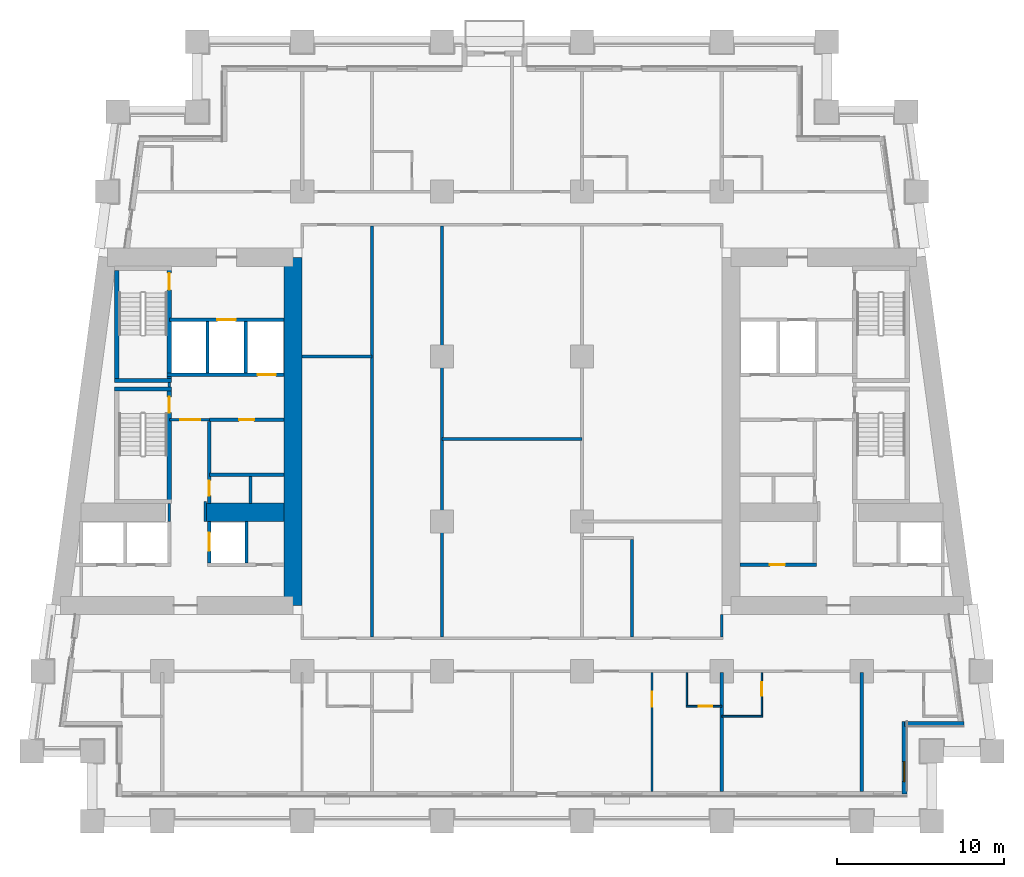
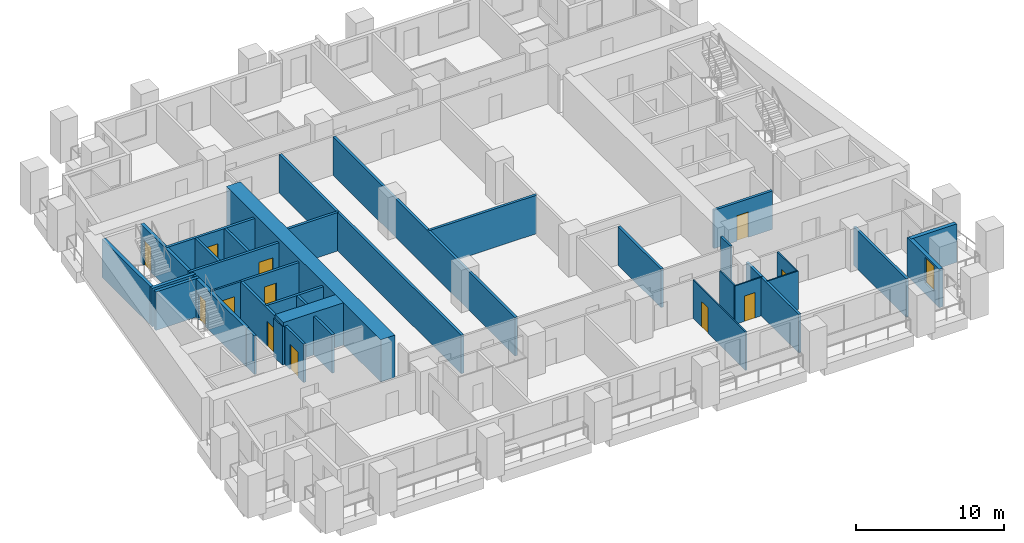
# One storey, part 4 of 12: 37 walls, 12 doors, 1 window, 13 openings.
"""IFC4 building model written with IfcOpenShell, lengths in metres."""

from ifc_helpers import new_model, si_unit, direction, frame, frame_2d, origin, place, context, subcontext, project, spatial, rectangle, extrude, material, layer, layer_set, type_object, element, fill, save


model = new_model("IFC4")

# Units and contexts
model_context = context("Model", 3, precision=1e-05, world=origin(), true_north=direction((0.0, 1.0)))
body_context = subcontext(model_context, "Body", "Model", "MODEL_VIEW")
ifc_project = project(units=[si_unit("LENGTHUNIT", "METRE"), si_unit("AREAUNIT", "SQUARE_METRE"), si_unit("VOLUMEUNIT", "CUBIC_METRE"), si_unit("PLANEANGLEUNIT", "RADIAN"), si_unit("MASSUNIT", "GRAM", prefix="KILO")], contexts=[model_context])

# Site, building, storey
site_placement = place(None, origin())
site = spatial("IfcSite", under=ifc_project, at=site_placement, CompositionType="ELEMENT")
building_placement = place(site_placement, origin())
building = spatial("IfcBuilding", under=site, at=building_placement, Name="Candeia Pilgrim Tower and Theatre", CompositionType="ELEMENT")
storey_placement = place(building_placement, frame((0.0, 0.0, 74.0)))
storey = spatial("IfcBuildingStorey", under=building, at=storey_placement, Name="L16", CompositionType="ELEMENT", Elevation=74.0)

# Walls
ifc_material_1 = material(Name="Concrete C80/95", Category="concrete")
ifc_layer_1 = layer(ifc_material_1, 1.10009765625)
ifc_layer_set_1 = layer_set([ifc_layer_1], Name="Core wall 1100 C80/95")
wall_type_1 = type_object("IfcWallType", Name="Core wall 1100 C80/95", PredefinedType="SHEAR", material=ifc_layer_set_1)
wall_1_placement = place(storey_placement, frame((100.25, 131.85009765625, 0.0), z_axis=(0.0, 0.0, 1.0), x_axis=(0.0, -1.0, 0.0)))
element("IfcWall", 1, at=wall_1_placement, inside=storey, type_object=wall_type_1, Name="Core wall W2", PredefinedType="SHEAR", context=body_context, shape_type="SweptSolid", body=[
    extrude(rectangle(XDim=20.900146484375, YDim=1.10009765625, at=frame_2d((10.4501953125, 0.0))), origin(), (0.0, 0.0, 1.0), 3.5),
])
wall_2_placement = place(storey_placement, frame((95.0, 116.550048828125, 0.0), z_axis=(0.0, 0.0, 1.0), x_axis=(1.0, 0.0, 0.0)))
element("IfcWall", 2, at=wall_2_placement, inside=storey, type_object=wall_type_1, Name="Core wall W6", PredefinedType="SHEAR", context=body_context, shape_type="SweptSolid", body=[
    extrude(rectangle(XDim=4.699951171875, YDim=1.10009765625, at=frame_2d((2.35009765625, 0.0))), origin(), (0.0, 0.0, 1.0), 3.5),
])

# Wall, opening, window
ifc_material_2 = material(Name="Ceramic block masonry", Category="masonry")
ifc_layer_2 = layer(ifc_material_2, 0.300048828125)
ifc_layer_set_2 = layer_set([ifc_layer_2], Name="EW1 glazing-line wall 300")
wall_type_2 = type_object("IfcWallType", Name="EW1 glazing-line wall 300", PredefinedType="SOLIDWALL", material=ifc_layer_set_2)
wall_3_placement = place(storey_placement, frame((136.949951171875, 99.64990234375, 0.0), z_axis=(0.0, 0.0, 1.0), x_axis=(0.0, 1.0, 0.0)))
wall_3 = element("IfcWall", 3, at=wall_3_placement, inside=storey, type_object=wall_type_2, Name="External wall L16-1.0", PredefinedType="SOLIDWALL", context=body_context, shape_type="SweptSolid", body=[
    extrude(rectangle(XDim=4.35009765625, YDim=0.300048828125, at=frame_2d((2.175048828125, 0.0))), origin(), (0.0, 0.0, 1.0), 3.179931640625),
])
opening_1_placement = place(wall_3_placement, frame((0.72509765625, 0.0, 0.89990234375)))
opening_1 = element("IfcOpeningElement", 4, at=opening_1_placement, cuts=wall_3, Name="Opening W-B", PredefinedType="OPENING", context=body_context, shape_type="SweptSolid", body=[
    extrude(rectangle(XDim=1.199951171875, YDim=2.10009765625, at=frame_2d((0.60009765625, 1.050048828125))), frame((0.0, 0.16015625, 0.0), z_axis=(0.0, -1.0, 0.0), x_axis=(1.0, 0.0, 0.0)), (0.0, 0.0, 1.0), 0.320068359375),
])
ifc_material_3 = material(Name="Aluminium framed double glazing", Category="aluminium")
window_type = type_object("IfcWindowType", Name="W-B window 1200x2100", PartitioningType="SINGLE_PANEL", PredefinedType="WINDOW", material=ifc_material_3)
window_placement = place(opening_1_placement, origin())
window = element("IfcWindow", 5, at=window_placement, inside=storey, type_object=window_type, Name="Window W-B L16", OverallHeight=2.10009765625, OverallWidth=1.199951171875, PartitioningType="SINGLE_PANEL", PredefinedType="WINDOW", context=body_context, shape_type="SweptSolid", body=[
    extrude(rectangle(XDim=1.199951171875, YDim=2.10009765625, at=frame_2d((0.60009765625, 1.050048828125))), frame((0.0, 0.030029296875, 0.0), z_axis=(0.0, -1.0, 0.0), x_axis=(1.0, 0.0, 0.0)), (0.0, 0.0, 1.0), 0.06005859375),
])
fill(opening_1, window)

# Walls
wall_4_placement = place(storey_placement, frame((136.949951171875, 103.85009765625, 0.0), z_axis=(0.0, 0.0, 1.0), x_axis=(1.0, 0.0, 0.0)))
element("IfcWall", 6, at=wall_4_placement, inside=storey, type_object=wall_type_2, Name="External wall L16-2.0", PredefinedType="SOLIDWALL", context=body_context, shape_type="SweptSolid", body=[
    extrude(rectangle(XDim=3.569091796875, YDim=0.300048828125, at=frame_2d((1.78466796875, 0.0))), origin(), (0.0, 0.0, 1.0), 3.179931640625),
])
ifc_material_4 = material(Name="Gypsum board partition on steel studs", Category="steel")
ifc_layer_3 = layer(ifc_material_4, 0.10009765625)
ifc_layer_set_3 = layer_set([ifc_layer_3], Name="PW-100 room partition")
wall_type_3 = type_object("IfcWallType", Name="PW-100 room partition", PredefinedType="PARTITIONING", material=ifc_layer_set_3)
wall_5_placement = place(storey_placement, frame((126.0, 104.300048828125, 0.0), z_axis=(0.0, 0.0, 1.0), x_axis=(1.0, 0.0, 0.0)))
element("IfcWall", 7, at=wall_5_placement, inside=storey, type_object=wall_type_3, Name="Room partition L16-002", PredefinedType="PARTITIONING", context=body_context, shape_type="SweptSolid", body=[
    extrude(rectangle(XDim=2.449951171875, YDim=0.10009765625, at=frame_2d((1.22509765625, 0.0))), origin(), (0.0, 0.0, 1.0), 3.179931640625),
])

# Wall, opening, door
wall_6_placement = place(storey_placement, frame((123.85009765625, 104.89990234375, 0.0), z_axis=(0.0, 0.0, 1.0), x_axis=(1.0, 0.0, 0.0)))
wall_6 = element("IfcWall", 8, at=wall_6_placement, inside=storey, type_object=wall_type_3, Name="Room partition L16-006", PredefinedType="PARTITIONING", context=body_context, shape_type="SweptSolid", body=[
    extrude(rectangle(XDim=2.14990234375, YDim=0.10009765625, at=frame_2d((1.074951171875, 0.0))), origin(), (0.0, 0.0, 1.0), 3.179931640625),
])
opening_2_placement = place(wall_6_placement, frame((0.760009765625, 0.0, 0.0)))
opening_2 = element("IfcOpeningElement", 9, at=opening_2_placement, cuts=wall_6, Name="Opening L16-D023", PredefinedType="OPENING", context=body_context, shape_type="SweptSolid", body=[
    extrude(rectangle(XDim=0.800048828125, YDim=2.10009765625, at=frame_2d((0.39990234375, 1.050048828125))), frame((0.0, 0.06005859375, 0.0), z_axis=(0.0, -1.0, 0.0), x_axis=(1.0, 0.0, 0.0)), (0.0, 0.0, 1.0), 0.1201171875),
])
ifc_material_5 = material(Name="Timber door leaf", Category="wood")
door_type_1 = type_object("IfcDoorType", Name="D-800", OperationType="NOTDEFINED", PredefinedType="DOOR", material=ifc_material_5)
door_1_placement = place(opening_2_placement, origin())
door_1 = element("IfcDoor", 10, at=door_1_placement, inside=storey, type_object=door_type_1, Name="Door L16-D023", OperationType="SINGLE_SWING_LEFT", OverallHeight=2.10009765625, OverallWidth=0.800048828125, PredefinedType="DOOR", context=body_context, shape_type="SweptSolid", body=[
    extrude(rectangle(XDim=0.800048828125, YDim=2.10009765625, at=frame_2d((0.39990234375, 1.050048828125))), frame((0.0, 0.02490234375, 0.0), z_axis=(0.0, -1.0, 0.0), x_axis=(1.0, 0.0, 0.0)), (0.0, 0.0, 1.0), 0.050048828125),
])
fill(opening_2, door_1)

wall_7_placement = place(storey_placement, frame((121.800048828125, 99.7900390625, 0.0), z_axis=(0.0, 0.0, 1.0), x_axis=(0.0, 1.0, 0.0)))
wall_7 = element("IfcWall", 11, at=wall_7_placement, inside=storey, type_object=wall_type_3, Name="Room partition L16-080", PredefinedType="PARTITIONING", context=body_context, shape_type="SweptSolid", body=[
    extrude(rectangle(XDim=7.135009765625, YDim=0.10009765625, at=frame_2d((3.5673828125, 0.0))), origin(), (0.0, 0.0, 1.0), 3.179931640625),
])
opening_3_placement = place(wall_7_placement, frame((5.074951171875, 0.0, 0.0)))
opening_3 = element("IfcOpeningElement", 12, at=opening_3_placement, cuts=wall_7, Name="Opening L16-D022", PredefinedType="OPENING", context=body_context, shape_type="SweptSolid", body=[
    extrude(rectangle(XDim=0.89990234375, YDim=2.10009765625, at=frame_2d((0.449951171875, 1.050048828125))), frame((0.0, 0.06005859375, 0.0), z_axis=(0.0, -1.0, 0.0), x_axis=(1.0, 0.0, 0.0)), (0.0, 0.0, 1.0), 0.1201171875),
])
door_type_2 = type_object("IfcDoorType", Name="D-900", OperationType="NOTDEFINED", PredefinedType="DOOR", material=ifc_material_5)
door_2_placement = place(opening_3_placement, origin())
door_2 = element("IfcDoor", 13, at=door_2_placement, inside=storey, type_object=door_type_2, Name="Door L16-D022", OperationType="SINGLE_SWING_RIGHT", OverallHeight=2.10009765625, OverallWidth=0.89990234375, PredefinedType="DOOR", context=body_context, shape_type="SweptSolid", body=[
    extrude(rectangle(XDim=0.89990234375, YDim=2.10009765625, at=frame_2d((0.449951171875, 1.050048828125))), frame((0.0, 0.02490234375, 0.0), z_axis=(0.0, -1.0, 0.0), x_axis=(1.0, 0.0, 0.0)), (0.0, 0.0, 1.0), 0.050048828125),
])
fill(opening_3, door_2)

# Wall
wall_8_placement = place(storey_placement, frame((123.89990234375, 104.949951171875, 0.0), z_axis=(0.0, 0.0, 1.0), x_axis=(0.0, 1.0, 0.0)))
element("IfcWall", 14, at=wall_8_placement, inside=storey, type_object=wall_type_3, Name="Room partition L16-081", PredefinedType="PARTITIONING", context=body_context, shape_type="SweptSolid", body=[
    extrude(rectangle(XDim=1.97509765625, YDim=0.10009765625, at=frame_2d((0.987548828125, 0.0))), origin(), (0.0, 0.0, 1.0), 3.179931640625),
])

# Wall, opening, door
wall_9_placement = place(storey_placement, frame((128.39990234375, 104.35009765625, 0.0), z_axis=(0.0, 0.0, 1.0), x_axis=(0.0, 1.0, 0.0)))
wall_9 = element("IfcWall", 15, at=wall_9_placement, inside=storey, type_object=wall_type_3, Name="Room partition L16-086", PredefinedType="PARTITIONING", context=body_context, shape_type="SweptSolid", body=[
    extrude(rectangle(XDim=2.574951171875, YDim=0.10009765625, at=frame_2d((1.28759765625, 0.0))), origin(), (0.0, 0.0, 1.0), 3.179931640625),
])
opening_4_placement = place(wall_9_placement, frame((1.199951171875, 0.0, 0.0)))
opening_4 = element("IfcOpeningElement", 16, at=opening_4_placement, cuts=wall_9, Name="Opening L16-D025", PredefinedType="OPENING", context=body_context, shape_type="SweptSolid", body=[
    extrude(rectangle(XDim=0.800048828125, YDim=2.10009765625, at=frame_2d((0.39990234375, 1.050048828125))), frame((0.0, 0.06005859375, 0.0), z_axis=(0.0, -1.0, 0.0), x_axis=(1.0, 0.0, 0.0)), (0.0, 0.0, 1.0), 0.1201171875),
])
door_3_placement = place(opening_4_placement, origin())
door_3 = element("IfcDoor", 17, at=door_3_placement, inside=storey, type_object=door_type_1, Name="Door L16-D025", OperationType="SINGLE_SWING_LEFT", OverallHeight=2.10009765625, OverallWidth=0.800048828125, PredefinedType="DOOR", context=body_context, shape_type="SweptSolid", body=[
    extrude(rectangle(XDim=0.800048828125, YDim=2.10009765625, at=frame_2d((0.39990234375, 1.050048828125))), frame((0.0, 0.02490234375, 0.0), z_axis=(0.0, -1.0, 0.0), x_axis=(1.0, 0.0, 0.0)), (0.0, 0.0, 1.0), 0.050048828125),
])
fill(opening_4, door_3)

ifc_layer_4 = layer(ifc_material_4, 0.14990234375)
ifc_layer_set_4 = layer_set([ifc_layer_4], Name="PW-150 lobby wall")
wall_type_4 = type_object("IfcWallType", Name="PW-150 lobby wall", PredefinedType="PARTITIONING", material=ifc_layer_set_4)
wall_10_placement = place(storey_placement, frame((92.826904296875, 122.10009765625, 0.0), z_axis=(0.0, 0.0, 1.0), x_axis=(1.0, 0.0, 0.0)))
wall_10 = element("IfcWall", 18, at=wall_10_placement, inside=storey, type_object=wall_type_4, Name="Lobby wall L16-022", PredefinedType="PARTITIONING", context=body_context, shape_type="SweptSolid", body=[
    extrude(rectangle(XDim=2.400146484375, YDim=0.14990234375, at=frame_2d((1.2001953125, 0.0))), origin(), (0.0, 0.0, 1.0), 3.179931640625),
])
opening_5_placement = place(wall_10_placement, frame((0.64990234375, 0.0, 0.0)))
opening_5 = element("IfcOpeningElement", 19, at=opening_5_placement, cuts=wall_10, Name="Opening L16-D001", PredefinedType="OPENING", context=body_context, shape_type="SweptSolid", body=[
    extrude(rectangle(XDim=1.199951171875, YDim=2.10009765625, at=frame_2d((0.60009765625, 1.050048828125))), frame((0.0, 0.0849609375, 0.0), z_axis=(0.0, -1.0, 0.0), x_axis=(1.0, 0.0, 0.0)), (0.0, 0.0, 1.0), 0.169921875),
])
ifc_material_6 = material(Name="Steel fire door set", Category="steel")
door_type_3 = type_object("IfcDoorType", Name="D-1200-FD60", OperationType="NOTDEFINED", PredefinedType="DOOR", material=ifc_material_6)
door_4_placement = place(opening_5_placement, origin())
door_4 = element("IfcDoor", 20, at=door_4_placement, inside=storey, type_object=door_type_3, Name="Door L16-D001", OperationType="SINGLE_SWING_LEFT", OverallHeight=2.10009765625, OverallWidth=1.199951171875, PredefinedType="DOOR", context=body_context, shape_type="SweptSolid", body=[
    extrude(rectangle(XDim=1.199951171875, YDim=2.10009765625, at=frame_2d((0.60009765625, 1.050048828125))), frame((0.0, 0.02490234375, 0.0), z_axis=(0.0, -1.0, 0.0), x_axis=(1.0, 0.0, 0.0)), (0.0, 0.0, 1.0), 0.050048828125),
])
fill(opening_5, door_4)

# Walls
wall_11_placement = place(storey_placement, frame((92.826904296875, 116.0, 0.0), z_axis=(0.0, 0.0, 1.0), x_axis=(0.0, 1.0, 0.0)))
element("IfcWall", 21, at=wall_11_placement, inside=storey, type_object=wall_type_4, Name="Lobby wall L16-051", PredefinedType="PARTITIONING", context=body_context, shape_type="SweptSolid", body=[
    extrude(rectangle(XDim=1.070068359375, YDim=0.14990234375, at=frame_2d((0.53515625, 0.0))), origin(), (0.0, 0.0, 1.0), 3.179931640625),
])
wall_12_placement = place(storey_placement, frame((92.826904296875, 124.074951171875, 0.0), z_axis=(0.0, 0.0, 1.0), x_axis=(0.0, 1.0, 0.0)))
element("IfcWall", 22, at=wall_12_placement, inside=storey, type_object=wall_type_4, Name="Lobby wall L16-052", PredefinedType="PARTITIONING", context=body_context, shape_type="SweptSolid", body=[
    extrude(rectangle(XDim=0.25, YDim=0.14990234375, at=frame_2d((0.125, 0.0))), origin(), (0.0, 0.0, 1.0), 3.179931640625),
])
wall_13_placement = place(storey_placement, frame((95.0, 116.0, 0.0), z_axis=(0.0, 0.0, 1.0), x_axis=(0.0, 1.0, 0.0)))
element("IfcWall", 23, at=wall_13_placement, inside=storey, type_object=wall_type_4, Name="Lobby wall L16-056", PredefinedType="PARTITIONING", context=body_context, shape_type="SweptSolid", body=[
    extrude(rectangle(XDim=1.199951171875, YDim=0.14990234375, at=frame_2d((0.60009765625, 0.0))), origin(), (0.0, 0.0, 1.0), 3.179931640625),
])
ifc_layer_5 = layer(ifc_material_4, 0.14990234375)
ifc_layer_set_5 = layer_set([ifc_layer_5], Name="PW-150 unit wall")
wall_type_5 = type_object("IfcWallType", Name="PW-150 unit wall", PredefinedType="PARTITIONING", material=ifc_layer_set_5)
wall_14_placement = place(storey_placement, frame((126.0, 109.074951171875, 0.0), z_axis=(0.0, 0.0, 1.0), x_axis=(0.0, 1.0, 0.0)))
element("IfcWall", 24, at=wall_14_placement, inside=storey, type_object=wall_type_5, Name="Unit wall L16-084", PredefinedType="PARTITIONING", context=body_context, shape_type="SweptSolid", body=[
    extrude(rectangle(XDim=1.324951171875, YDim=0.14990234375, at=frame_2d((0.66259765625, 0.0))), origin(), (0.0, 0.0, 1.0), 3.179931640625),
])
ifc_layer_6 = layer(ifc_material_4, 0.199951171875)
ifc_layer_set_6 = layer_set([ifc_layer_6], Name="PW-200 party wall")
wall_type_6 = type_object("IfcWallType", Name="PW-200 party wall", PredefinedType="PARTITIONING", material=ifc_layer_set_6)
wall_15_placement = place(storey_placement, frame((109.199951171875, 120.949951171875, 0.0), z_axis=(0.0, 0.0, 1.0), x_axis=(1.0, 0.0, 0.0)))
element("IfcWall", 25, at=wall_15_placement, inside=storey, type_object=wall_type_6, Name="Party wall L16-019", PredefinedType="PARTITIONING", context=body_context, shape_type="SweptSolid", body=[
    extrude(rectangle(XDim=8.400146484375, YDim=0.199951171875, at=frame_2d((4.2001953125, 0.0))), origin(), (0.0, 0.0, 1.0), 3.179931640625),
])
wall_16_placement = place(storey_placement, frame((100.800048828125, 125.89990234375, 0.0), z_axis=(0.0, 0.0, 1.0), x_axis=(1.0, 0.0, 0.0)))
element("IfcWall", 26, at=wall_16_placement, inside=storey, type_object=wall_type_6, Name="Party wall L16-031", PredefinedType="PARTITIONING", context=body_context, shape_type="SweptSolid", body=[
    extrude(rectangle(XDim=4.199951171875, YDim=0.199951171875, at=frame_2d((2.10009765625, 0.0))), origin(), (0.0, 0.0, 1.0), 3.179931640625),
])
for number, where, z_axis, x_axis, name in (
    (27, (105.0, 109.074951171875, 0.0), (0.0, 0.0, 1.0), (0.0, 1.0, 0.0), "Party wall L16-069"),
    (28, (109.199951171875, 109.074951171875, 0.0), (0.0, 0.0, 1.0), (0.0, 1.0, 0.0), "Party wall L16-073"),
):
    element("IfcWall", number, at=place(storey_placement, frame(where, z_axis=z_axis, x_axis=x_axis)), inside=storey, type_object=wall_type_6, Name=name, PredefinedType="PARTITIONING", context=body_context, shape_type="SweptSolid", body=[
        extrude(rectangle(XDim=24.650146484375, YDim=0.199951171875, at=frame_2d((12.3251953125, 0.0))), origin(), (0.0, 0.0, 1.0), 3.179931640625),
    ])
wall_17_placement = place(storey_placement, frame((120.60009765625, 109.074951171875, 0.0), z_axis=(0.0, 0.0, 1.0), x_axis=(0.0, 1.0, 0.0)))
element("IfcWall", 29, at=wall_17_placement, inside=storey, type_object=wall_type_6, Name="Party wall L16-079", PredefinedType="PARTITIONING", context=body_context, shape_type="SweptSolid", body=[
    extrude(rectangle(XDim=5.824951171875, YDim=0.199951171875, at=frame_2d((2.91259765625, 0.0))), origin(), (0.0, 0.0, 1.0), 3.179931640625),
])
for number, where, z_axis, x_axis, name in (
    (30, (126.0, 99.7900390625, 0.0), (0.0, 0.0, 1.0), (0.0, 1.0, 0.0), "Party wall L16-082"),
    (31, (134.39990234375, 99.7900390625, 0.0), (0.0, 0.0, 1.0), (0.0, 1.0, 0.0), "Party wall L16-099"),
):
    element("IfcWall", number, at=place(storey_placement, frame(where, z_axis=z_axis, x_axis=x_axis)), inside=storey, type_object=wall_type_6, Name=name, PredefinedType="PARTITIONING", context=body_context, shape_type="SweptSolid", body=[
        extrude(rectangle(XDim=7.135009765625, YDim=0.199951171875, at=frame_2d((3.5673828125, 0.0))), origin(), (0.0, 0.0, 1.0), 3.179931640625),
    ])

# Wall, opening, door
ifc_material_7 = material(Name="Concrete C40/50", Category="concrete")
ifc_layer_7 = layer(ifc_material_7, 0.199951171875)
ifc_layer_set_7 = layer_set([ifc_layer_7], Name="SW-200 shaft wall")
wall_type_7 = type_object("IfcWallType", Name="SW-200 shaft wall", PredefinedType="PARTITIONING", material=ifc_layer_set_7)
wall_18_placement = place(storey_placement, frame((127.10009765625, 113.39990234375, 0.0), z_axis=(0.0, 0.0, 1.0), x_axis=(1.0, 0.0, 0.0)))
wall_18 = element("IfcWall", 32, at=wall_18_placement, inside=storey, type_object=wall_type_7, Name="Shaft wall L16-011", PredefinedType="PARTITIONING", context=body_context, shape_type="SweptSolid", body=[
    extrude(rectangle(XDim=4.572998046875, YDim=0.199951171875, at=frame_2d((2.28662109375, 0.0))), origin(), (0.0, 0.0, 1.0), 3.179931640625),
])
opening_6_placement = place(wall_18_placement, frame((1.785888671875, 0.0, 0.0)))
opening_6 = element("IfcOpeningElement", 33, at=opening_6_placement, cuts=wall_18, Name="Opening L16-D013", PredefinedType="OPENING", context=body_context, shape_type="SweptSolid", body=[
    extrude(rectangle(XDim=0.89990234375, YDim=2.10009765625, at=frame_2d((0.449951171875, 1.050048828125))), frame((0.0, 0.10986328125, 0.0), z_axis=(0.0, -1.0, 0.0), x_axis=(1.0, 0.0, 0.0)), (0.0, 0.0, 1.0), 0.219970703125),
])
door_type_4 = type_object("IfcDoorType", Name="D-900-FD60", OperationType="NOTDEFINED", PredefinedType="DOOR", material=ifc_material_6)
door_5_placement = place(opening_6_placement, origin())
door_5 = element("IfcDoor", 34, at=door_5_placement, inside=storey, type_object=door_type_4, Name="Door L16-D013", OperationType="SINGLE_SWING_LEFT", OverallHeight=2.10009765625, OverallWidth=0.89990234375, PredefinedType="DOOR", context=body_context, shape_type="SweptSolid", body=[
    extrude(rectangle(XDim=0.89990234375, YDim=2.10009765625, at=frame_2d((0.449951171875, 1.050048828125))), frame((0.0, 0.02490234375, 0.0), z_axis=(0.0, -1.0, 0.0), x_axis=(1.0, 0.0, 0.0)), (0.0, 0.0, 1.0), 0.050048828125),
])
fill(opening_6, door_5)

# Wall
wall_19_placement = place(storey_placement, frame((95.22705078125, 118.800048828125, 0.0), z_axis=(0.0, 0.0, 1.0), x_axis=(1.0, 0.0, 0.0)))
element("IfcWall", 35, at=wall_19_placement, inside=storey, type_object=wall_type_7, Name="Shaft wall L16-017", PredefinedType="PARTITIONING", context=body_context, shape_type="SweptSolid", body=[
    extrude(rectangle(XDim=4.472900390625, YDim=0.199951171875, at=frame_2d((2.236328125, 0.0))), origin(), (0.0, 0.0, 1.0), 3.179931640625),
])

# Wall, opening, door
wall_20_placement = place(storey_placement, frame((95.22705078125, 122.10009765625, 0.0), z_axis=(0.0, 0.0, 1.0), x_axis=(1.0, 0.0, 0.0)))
wall_20 = element("IfcWall", 36, at=wall_20_placement, inside=storey, type_object=wall_type_7, Name="Shaft wall L16-020", PredefinedType="PARTITIONING", context=body_context, shape_type="SweptSolid", body=[
    extrude(rectangle(XDim=4.472900390625, YDim=0.199951171875, at=frame_2d((2.236328125, 0.0))), origin(), (0.0, 0.0, 1.0), 3.179931640625),
])
opening_7_placement = place(wall_20_placement, frame((1.785888671875, 0.0, 0.0)))
opening_7 = element("IfcOpeningElement", 37, at=opening_7_placement, cuts=wall_20, Name="Opening L16-D002", PredefinedType="OPENING", context=body_context, shape_type="SweptSolid", body=[
    extrude(rectangle(XDim=0.89990234375, YDim=2.10009765625, at=frame_2d((0.449951171875, 1.050048828125))), frame((0.0, 0.10986328125, 0.0), z_axis=(0.0, -1.0, 0.0), x_axis=(1.0, 0.0, 0.0)), (0.0, 0.0, 1.0), 0.219970703125),
])
door_6_placement = place(opening_7_placement, origin())
door_6 = element("IfcDoor", 38, at=door_6_placement, inside=storey, type_object=door_type_4, Name="Door L16-D002", OperationType="SINGLE_SWING_RIGHT", OverallHeight=2.10009765625, OverallWidth=0.89990234375, PredefinedType="DOOR", context=body_context, shape_type="SweptSolid", body=[
    extrude(rectangle(XDim=0.89990234375, YDim=2.10009765625, at=frame_2d((0.449951171875, 1.050048828125))), frame((0.0, 0.02490234375, 0.0), z_axis=(0.0, -1.0, 0.0), x_axis=(1.0, 0.0, 0.0)), (0.0, 0.0, 1.0), 0.050048828125),
])
fill(opening_7, door_6)

wall_21_placement = place(storey_placement, frame((92.701904296875, 124.800048828125, 0.0), z_axis=(0.0, 0.0, 1.0), x_axis=(1.0, 0.0, 0.0)))
wall_21 = element("IfcWall", 39, at=wall_21_placement, inside=storey, type_object=wall_type_7, Name="Shaft wall L16-028", PredefinedType="PARTITIONING", context=body_context, shape_type="SweptSolid", body=[
    extrude(rectangle(XDim=6.998046875, YDim=0.199951171875, at=frame_2d((3.4990234375, 0.0))), origin(), (0.0, 0.0, 1.0), 3.179931640625),
])
opening_8_placement = place(wall_21_placement, frame((5.425048828125, 0.0, 0.0)))
opening_8 = element("IfcOpeningElement", 40, at=opening_8_placement, cuts=wall_21, Name="Opening L16-LD02", PredefinedType="OPENING", context=body_context, shape_type="SweptSolid", body=[
    extrude(rectangle(XDim=1.10009765625, YDim=2.10009765625, at=frame_2d((0.550048828125, 1.050048828125))), frame((0.0, 0.10986328125, 0.0), z_axis=(0.0, -1.0, 0.0), x_axis=(1.0, 0.0, 0.0)), (0.0, 0.0, 1.0), 0.219970703125),
])
ifc_material_8 = material(Name="Glazed aluminium landing door", Category="aluminium")
door_type_5 = type_object("IfcDoorType", Name="LD-1100-EI120", OperationType="SLIDING_TO_LEFT", PredefinedType="DOOR", material=ifc_material_8)
door_7_placement = place(opening_8_placement, origin())
door_7 = element("IfcDoor", 41, at=door_7_placement, inside=storey, type_object=door_type_5, Name="Landing door 02 L16", OperationType="SLIDING_TO_LEFT", OverallHeight=2.10009765625, OverallWidth=1.10009765625, PredefinedType="DOOR", context=body_context, shape_type="SweptSolid", body=[
    extrude(rectangle(XDim=1.10009765625, YDim=2.10009765625, at=frame_2d((0.550048828125, 1.050048828125))), frame((0.0, 0.02490234375, 0.0), z_axis=(0.0, -1.0, 0.0), x_axis=(1.0, 0.0, 0.0)), (0.0, 0.0, 1.0), 0.050048828125),
])
fill(opening_8, door_7)

wall_22_placement = place(storey_placement, frame((92.826904296875, 128.10009765625, 0.0), z_axis=(0.0, 0.0, 1.0), x_axis=(1.0, 0.0, 0.0)))
wall_22 = element("IfcWall", 42, at=wall_22_placement, inside=storey, type_object=wall_type_7, Name="Shaft wall L16-032", PredefinedType="PARTITIONING", context=body_context, shape_type="SweptSolid", body=[
    extrude(rectangle(XDim=6.873046875, YDim=0.199951171875, at=frame_2d((3.4365234375, 0.0))), origin(), (0.0, 0.0, 1.0), 3.179931640625),
])
opening_9_placement = place(wall_22_placement, frame((2.886962890625, 0.0, 0.0)))
opening_9 = element("IfcOpeningElement", 43, at=opening_9_placement, cuts=wall_22, Name="Opening L16-LD01", PredefinedType="OPENING", context=body_context, shape_type="SweptSolid", body=[
    extrude(rectangle(XDim=1.10009765625, YDim=2.10009765625, at=frame_2d((0.550048828125, 1.050048828125))), frame((0.0, 0.10986328125, 0.0), z_axis=(0.0, -1.0, 0.0), x_axis=(1.0, 0.0, 0.0)), (0.0, 0.0, 1.0), 0.219970703125),
])
door_8_placement = place(opening_9_placement, origin())
door_8 = element("IfcDoor", 44, at=door_8_placement, inside=storey, type_object=door_type_5, Name="Landing door 01 L16", OperationType="SLIDING_TO_LEFT", OverallHeight=2.10009765625, OverallWidth=1.10009765625, PredefinedType="DOOR", context=body_context, shape_type="SweptSolid", body=[
    extrude(rectangle(XDim=1.10009765625, YDim=2.10009765625, at=frame_2d((0.550048828125, 1.050048828125))), frame((0.0, 0.02490234375, 0.0), z_axis=(0.0, -1.0, 0.0), x_axis=(1.0, 0.0, 0.0)), (0.0, 0.0, 1.0), 0.050048828125),
])
fill(opening_9, door_8)

# Wall
wall_23_placement = place(storey_placement, frame((95.117919921875, 124.89990234375, 0.0), z_axis=(0.0, 0.0, 1.0), x_axis=(0.0, 1.0, 0.0)))
element("IfcWall", 45, at=wall_23_placement, inside=storey, type_object=wall_type_7, Name="Shaft wall L16-057", PredefinedType="PARTITIONING", context=body_context, shape_type="SweptSolid", body=[
    extrude(rectangle(XDim=3.10009765625, YDim=0.199951171875, at=frame_2d((1.550048828125, 0.0))), origin(), (0.0, 0.0, 1.0), 3.179931640625),
])

# Wall, opening, door
wall_24_placement = place(storey_placement, frame((95.22705078125, 113.5, 0.0), z_axis=(0.0, 0.0, 1.0), x_axis=(0.0, 1.0, 0.0)))
wall_24 = element("IfcWall", 46, at=wall_24_placement, inside=storey, type_object=wall_type_7, Name="Shaft wall L16-058", PredefinedType="PARTITIONING", context=body_context, shape_type="SweptSolid", body=[
    extrude(rectangle(XDim=2.5, YDim=0.199951171875, at=frame_2d((1.25, 0.0))), origin(), (0.0, 0.0, 1.0), 3.179931640625),
])
opening_10_placement = place(wall_24_placement, frame((0.72998046875, 0.0, 0.0)))
opening_10 = element("IfcOpeningElement", 47, at=opening_10_placement, cuts=wall_24, Name="Opening L16-LD05", PredefinedType="OPENING", context=body_context, shape_type="SweptSolid", body=[
    extrude(rectangle(XDim=1.10009765625, YDim=2.10009765625, at=frame_2d((0.550048828125, 1.050048828125))), frame((0.0, 0.10986328125, 0.0), z_axis=(0.0, -1.0, 0.0), x_axis=(1.0, 0.0, 0.0)), (0.0, 0.0, 1.0), 0.219970703125),
])
door_9_placement = place(opening_10_placement, origin())
door_9 = element("IfcDoor", 48, at=door_9_placement, inside=storey, type_object=door_type_5, Name="Landing door 05 L16", OperationType="SLIDING_TO_LEFT", OverallHeight=2.10009765625, OverallWidth=1.10009765625, PredefinedType="DOOR", context=body_context, shape_type="SweptSolid", body=[
    extrude(rectangle(XDim=1.10009765625, YDim=2.10009765625, at=frame_2d((0.550048828125, 1.050048828125))), frame((0.0, 0.02490234375, 0.0), z_axis=(0.0, -1.0, 0.0), x_axis=(1.0, 0.0, 0.0)), (0.0, 0.0, 1.0), 0.050048828125),
])
fill(opening_10, door_9)

wall_25_placement = place(storey_placement, frame((95.22705078125, 117.070068359375, 0.0), z_axis=(0.0, 0.0, 1.0), x_axis=(0.0, 1.0, 0.0)))
wall_25 = element("IfcWall", 49, at=wall_25_placement, inside=storey, type_object=wall_type_7, Name="Shaft wall L16-059", PredefinedType="PARTITIONING", context=body_context, shape_type="SweptSolid", body=[
    extrude(rectangle(XDim=4.929931640625, YDim=0.199951171875, at=frame_2d((2.46484375, 0.0))), origin(), (0.0, 0.0, 1.0), 3.179931640625),
])
opening_11_placement = place(wall_25_placement, frame((0.47998046875, 0.0, 0.0)))
opening_11 = element("IfcOpeningElement", 50, at=opening_11_placement, cuts=wall_25, Name="Opening L16-D005", PredefinedType="OPENING", context=body_context, shape_type="SweptSolid", body=[
    extrude(rectangle(XDim=0.89990234375, YDim=2.10009765625, at=frame_2d((0.449951171875, 1.050048828125))), frame((0.0, 0.10986328125, 0.0), z_axis=(0.0, -1.0, 0.0), x_axis=(1.0, 0.0, 0.0)), (0.0, 0.0, 1.0), 0.219970703125),
])
door_10_placement = place(opening_11_placement, origin())
door_10 = element("IfcDoor", 51, at=door_10_placement, inside=storey, type_object=door_type_4, Name="Door L16-D005", OperationType="SINGLE_SWING_LEFT", OverallHeight=2.10009765625, OverallWidth=0.89990234375, PredefinedType="DOOR", context=body_context, shape_type="SweptSolid", body=[
    extrude(rectangle(XDim=0.89990234375, YDim=2.10009765625, at=frame_2d((0.449951171875, 1.050048828125))), frame((0.0, 0.02490234375, 0.0), z_axis=(0.0, -1.0, 0.0), x_axis=(1.0, 0.0, 0.0)), (0.0, 0.0, 1.0), 0.050048828125),
])
fill(opening_11, door_10)

# Walls
wall_26_placement = place(storey_placement, frame((97.408935546875, 124.89990234375, 0.0), z_axis=(0.0, 0.0, 1.0), x_axis=(0.0, 1.0, 0.0)))
element("IfcWall", 52, at=wall_26_placement, inside=storey, type_object=wall_type_7, Name="Shaft wall L16-060", PredefinedType="PARTITIONING", context=body_context, shape_type="SweptSolid", body=[
    extrude(rectangle(XDim=3.10009765625, YDim=0.199951171875, at=frame_2d((1.550048828125, 0.0))), origin(), (0.0, 0.0, 1.0), 3.179931640625),
])
wall_27_placement = place(storey_placement, frame((97.46337890625, 113.5, 0.0), z_axis=(0.0, 0.0, 1.0), x_axis=(0.0, 1.0, 0.0)))
element("IfcWall", 53, at=wall_27_placement, inside=storey, type_object=wall_type_7, Name="Shaft wall L16-061", PredefinedType="PARTITIONING", context=body_context, shape_type="SweptSolid", body=[
    extrude(rectangle(XDim=2.5, YDim=0.199951171875, at=frame_2d((1.25, 0.0))), origin(), (0.0, 0.0, 1.0), 3.179931640625),
])
wall_28_placement = place(storey_placement, frame((97.699951171875, 117.070068359375, 0.0), z_axis=(0.0, 0.0, 1.0), x_axis=(0.0, 1.0, 0.0)))
element("IfcWall", 54, at=wall_28_placement, inside=storey, type_object=wall_type_7, Name="Shaft wall L16-062", PredefinedType="PARTITIONING", context=body_context, shape_type="SweptSolid", body=[
    extrude(rectangle(XDim=1.6298828125, YDim=0.199951171875, at=frame_2d((0.81494140625, 0.0))), origin(), (0.0, 0.0, 1.0), 3.179931640625),
])
ifc_layer_8 = layer(ifc_material_7, 0.25)
ifc_layer_set_8 = layer_set([ifc_layer_8], Name="SW-250 stair wall")
wall_type_8 = type_object("IfcWallType", Name="SW-250 stair wall", PredefinedType="PARTITIONING", material=ifc_layer_set_8)
for number, where, z_axis, x_axis, name in (
    (55, (89.552001953125, 123.949951171875, 0.0), (0.0, 0.0, 1.0), (1.0, 0.0, 0.0), "Stair wall L16-024"),
    (56, (89.552001953125, 124.449951171875, 0.0), (0.0, 0.0, 1.0), (1.0, 0.0, 0.0), "Stair wall L16-026"),
):
    element("IfcWall", number, at=place(storey_placement, frame(where, z_axis=z_axis, x_axis=x_axis)), inside=storey, type_object=wall_type_8, Name=name, PredefinedType="PARTITIONING", context=body_context, shape_type="SweptSolid", body=[
        extrude(rectangle(XDim=3.39990234375, YDim=0.25, at=frame_2d((1.699951171875, 0.0))), origin(), (0.0, 0.0, 1.0), 3.179931640625),
    ])
wall_29_placement = place(storey_placement, frame((89.677001953125, 124.574951171875, 0.0), z_axis=(0.0, 0.0, 1.0), x_axis=(0.0, 1.0, 0.0)))
element("IfcWall", 57, at=wall_29_placement, inside=storey, type_object=wall_type_8, Name="Stair wall L16-046", PredefinedType="PARTITIONING", context=body_context, shape_type="SweptSolid", body=[
    extrude(rectangle(XDim=6.5, YDim=0.25, at=frame_2d((3.25, 0.0))), origin(), (0.0, 0.0, 1.0), 3.179931640625),
])

# Wall, opening, door
wall_30_placement = place(storey_placement, frame((92.826904296875, 117.070068359375, 0.0), z_axis=(0.0, 0.0, 1.0), x_axis=(0.0, 1.0, 0.0)))
wall_30 = element("IfcWall", 58, at=wall_30_placement, inside=storey, type_object=wall_type_8, Name="Stair wall L16-053", PredefinedType="PARTITIONING", context=body_context, shape_type="SweptSolid", body=[
    extrude(rectangle(XDim=6.7548828125, YDim=0.25, at=frame_2d((3.37744140625, 0.0))), origin(), (0.0, 0.0, 1.0), 3.179931640625),
])
opening_12_placement = place(wall_30_placement, frame((5.455078125, 0.0, 0.0)))
opening_12 = element("IfcOpeningElement", 59, at=opening_12_placement, cuts=wall_30, Name="Opening L16-D003", PredefinedType="OPENING", context=body_context, shape_type="SweptSolid", body=[
    extrude(rectangle(XDim=0.949951171875, YDim=2.10009765625, at=frame_2d((0.47509765625, 1.050048828125))), frame((0.0, 0.135009765625, 0.0), z_axis=(0.0, -1.0, 0.0), x_axis=(1.0, 0.0, 0.0)), (0.0, 0.0, 1.0), 0.27001953125),
])
door_type_6 = type_object("IfcDoorType", Name="D-950-FD60", OperationType="NOTDEFINED", PredefinedType="DOOR", material=ifc_material_6)
door_11_placement = place(opening_12_placement, origin())
door_11 = element("IfcDoor", 60, at=door_11_placement, inside=storey, type_object=door_type_6, Name="Door L16-D003", OperationType="SINGLE_SWING_LEFT", OverallHeight=2.10009765625, OverallWidth=0.949951171875, PredefinedType="DOOR", context=body_context, shape_type="SweptSolid", body=[
    extrude(rectangle(XDim=0.949951171875, YDim=2.10009765625, at=frame_2d((0.47509765625, 1.050048828125))), frame((0.0, 0.02490234375, 0.0), z_axis=(0.0, -1.0, 0.0), x_axis=(1.0, 0.0, 0.0)), (0.0, 0.0, 1.0), 0.050048828125),
])
fill(opening_12, door_11)

wall_31_placement = place(storey_placement, frame((92.826904296875, 124.574951171875, 0.0), z_axis=(0.0, 0.0, 1.0), x_axis=(0.0, 1.0, 0.0)))
wall_31 = element("IfcWall", 61, at=wall_31_placement, inside=storey, type_object=wall_type_8, Name="Stair wall L16-054", PredefinedType="PARTITIONING", context=body_context, shape_type="SweptSolid", body=[
    extrude(rectangle(XDim=6.755126953125, YDim=0.25, at=frame_2d((3.37744140625, 0.0))), origin(), (0.0, 0.0, 1.0), 3.179931640625),
])
opening_13_placement = place(wall_31_placement, frame((5.324951171875, 0.0, 0.0)))
opening_13 = element("IfcOpeningElement", 62, at=opening_13_placement, cuts=wall_31, Name="Opening L16-D004", PredefinedType="OPENING", context=body_context, shape_type="SweptSolid", body=[
    extrude(rectangle(XDim=1.0, YDim=2.10009765625, at=frame_2d((0.5, 1.050048828125))), frame((0.0, 0.135009765625, 0.0), z_axis=(0.0, -1.0, 0.0), x_axis=(1.0, 0.0, 0.0)), (0.0, 0.0, 1.0), 0.27001953125),
])
door_type_7 = type_object("IfcDoorType", Name="D-1000-FD60", OperationType="NOTDEFINED", PredefinedType="DOOR", material=ifc_material_6)
door_12_placement = place(opening_13_placement, origin())
door_12 = element("IfcDoor", 63, at=door_12_placement, inside=storey, type_object=door_type_7, Name="Door L16-D004", OperationType="SINGLE_SWING_RIGHT", OverallHeight=2.10009765625, OverallWidth=1.0, PredefinedType="DOOR", context=body_context, shape_type="SweptSolid", body=[
    extrude(rectangle(XDim=1.0, YDim=2.10009765625, at=frame_2d((0.5, 1.050048828125))), frame((0.0, 0.02490234375, 0.0), z_axis=(0.0, -1.0, 0.0), x_axis=(1.0, 0.0, 0.0)), (0.0, 0.0, 1.0), 0.050048828125),
])
fill(opening_13, door_12)

save(model, "model.ifc")
